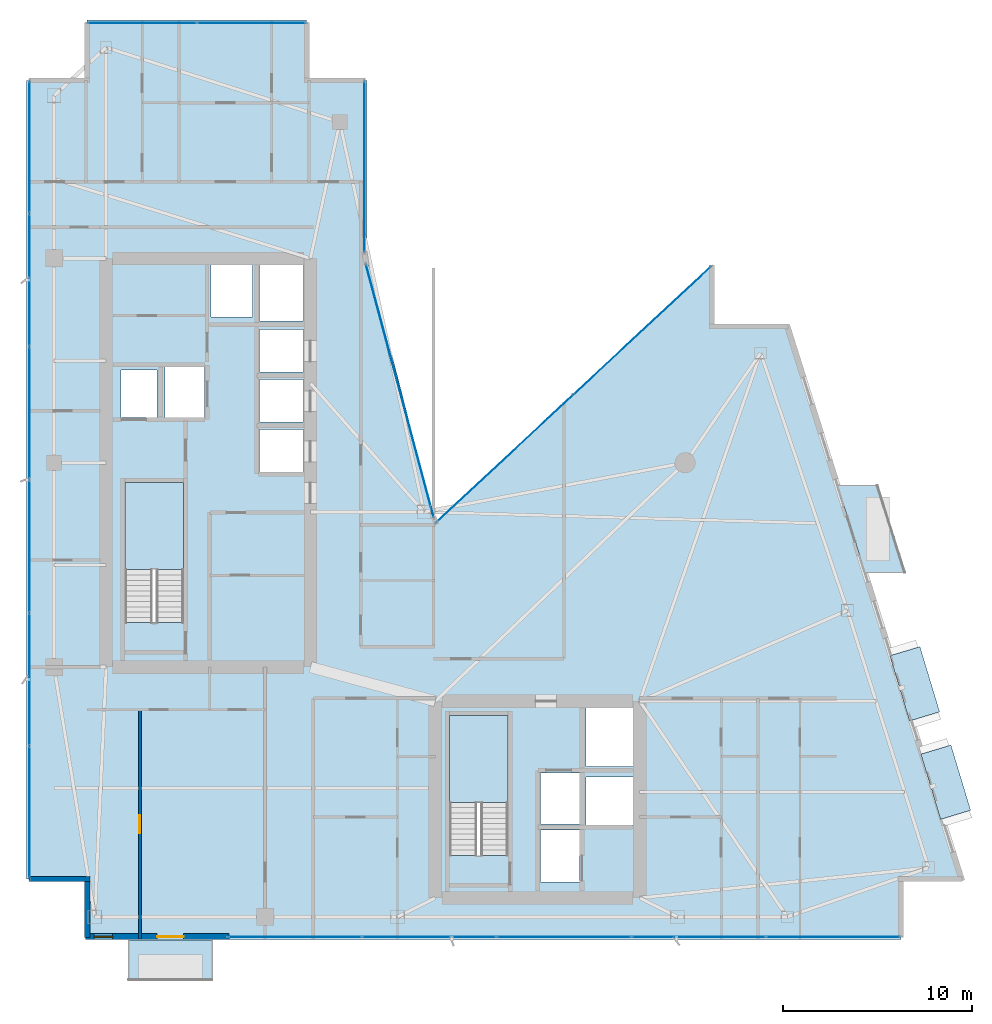
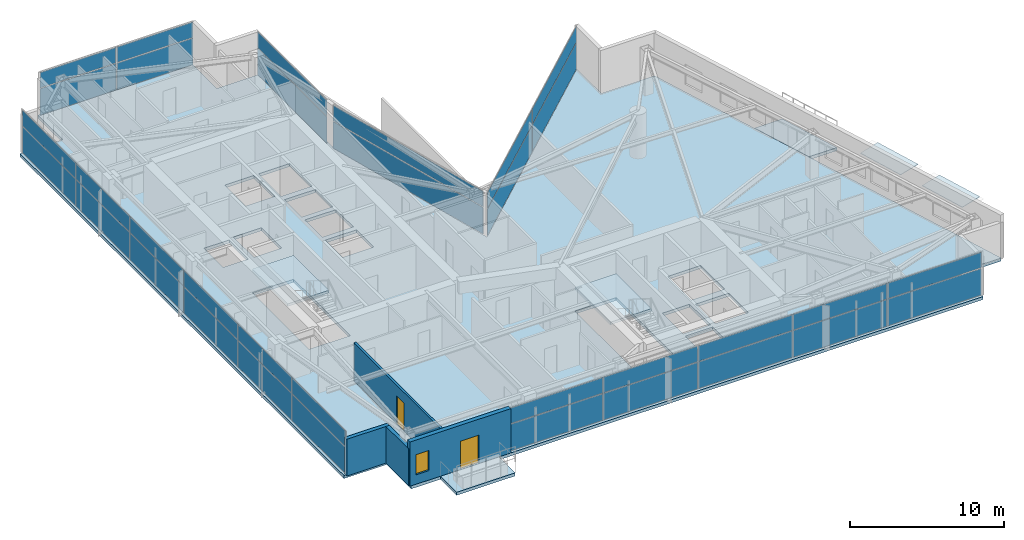
# One storey, part 21 of 27: 36 plates, 5 slabs, 4 walls, 2 doors, 1 window, 3 openings, 8 elements without a shape of their own.
"""IFC4 building model written with IfcOpenShell, lengths in metres."""

from ifc_helpers import new_model, si_unit, direction, frame, frame_2d, origin, origin_2d, place, context, subcontext, project, spatial, polyline, rectangle, outline, extrude, material, layer, layer_set, type_object, element, fill, aggregate, save


model = new_model("IFC4")

# Units and contexts
model_context = context("Model", 3, precision=1e-05, world=origin(), true_north=direction((0.0, 1.0)))
body_context = subcontext(model_context, "Body", "Model", "MODEL_VIEW")
ifc_project = project(units=[si_unit("LENGTHUNIT", "METRE"), si_unit("AREAUNIT", "SQUARE_METRE"), si_unit("VOLUMEUNIT", "CUBIC_METRE"), si_unit("PLANEANGLEUNIT", "RADIAN"), si_unit("MASSUNIT", "GRAM", prefix="KILO")], contexts=[model_context])

# Site, building, storey
site_placement = place(None, origin())
site = spatial("IfcSite", under=ifc_project, at=site_placement, CompositionType="ELEMENT")
building_placement = place(site_placement, origin())
building = spatial("IfcBuilding", under=site, at=building_placement, Name="Calvorn Quay Hotel", CompositionType="ELEMENT")
storey_placement = place(building_placement, frame((0.0, 0.0, 230.699951171875)))
storey = spatial("IfcBuildingStorey", under=building, at=storey_placement, Name="L57", CompositionType="ELEMENT", Elevation=230.699951171875)

# Curtain wall, plates
ifc_material_1 = material(Name="Champagne Bronze Anodised Aluminium and Low-E Glass", Category="aluminium")
ifc_layer_1 = layer(ifc_material_1, 0.219970703125)
ifc_layer_set_1 = layer_set([ifc_layer_1], Name="CW-SYS-Z3")
curtain_wall_type = type_object("IfcCurtainWallType", Name="CW-SYS-Z3", PredefinedType="NOTDEFINED", material=ifc_layer_set_1)
curtain_wall_1_placement = place(storey_placement, origin())
curtain_wall_1 = element("IfcCurtainWall", 1, at=curtain_wall_1_placement, inside=storey, type_object=curtain_wall_type, Name="Tower West Curtain Wall (L57)", PredefinedType="NOTDEFINED")
ifc_material_2 = material(Name="Low-E Laminated Double Glazing", Category="glass")
ifc_layer_2 = layer(ifc_material_2, 0.028076171875)
ifc_layer_set_2 = layer_set([ifc_layer_2], Name="CW-SYS-Z3-PAN")
plate_type_1 = type_object("IfcPlateType", Name="CW-SYS-Z3-PAN", PredefinedType="CURTAIN_PANEL", material=ifc_layer_set_2)
plate_1_placement = place(storey_placement, frame((0.14990234375, 9.131591796875, 0.06005859375), z_axis=(0.0, 0.0, 1.0), x_axis=(0.0, 1.0, 0.0)))
plate_1 = element("IfcPlate", 2, at=plate_1_placement, type_object=plate_type_1, Name="CW-L57-W panel 1.1", PredefinedType="CURTAIN_PANEL", context=body_context, shape_type="SweptSolid", body=[
    extrude(rectangle(XDim=6.943359375, YDim=0.028076171875, at=origin_2d()), origin(), (0.0, 0.0, 1.0), 2.110107421875),
])
plate_2_placement = place(storey_placement, frame((0.14990234375, 9.131591796875, 2.22998046875), z_axis=(0.0, 0.0, 1.0), x_axis=(0.0, 1.0, 0.0)))
plate_2 = element("IfcPlate", 3, at=plate_2_placement, type_object=plate_type_1, Name="CW-L57-W panel 1.2", PredefinedType="CURTAIN_PANEL", context=body_context, shape_type="SweptSolid", body=[
    extrude(rectangle(XDim=6.943359375, YDim=0.028076171875, at=origin_2d()), origin(), (0.0, 0.0, 1.0), 1.22998046875),
])
plate_3_placement = place(storey_placement, frame((0.14990234375, 16.14990234375, 0.06005859375), z_axis=(0.0, 0.0, 1.0), x_axis=(0.0, 1.0, 0.0)))
plate_3 = element("IfcPlate", 4, at=plate_3_placement, type_object=plate_type_1, Name="CW-L57-W panel 2.1", PredefinedType="CURTAIN_PANEL", context=body_context, shape_type="SweptSolid", body=[
    extrude(rectangle(XDim=6.973388671875, YDim=0.028076171875, at=origin_2d()), origin(), (0.0, 0.0, 1.0), 2.110107421875),
])
plate_4_placement = place(storey_placement, frame((0.14990234375, 16.14990234375, 2.22998046875), z_axis=(0.0, 0.0, 1.0), x_axis=(0.0, 1.0, 0.0)))
plate_4 = element("IfcPlate", 5, at=plate_4_placement, type_object=plate_type_1, Name="CW-L57-W panel 2.2", PredefinedType="CURTAIN_PANEL", context=body_context, shape_type="SweptSolid", body=[
    extrude(rectangle(XDim=6.973388671875, YDim=0.028076171875, at=origin_2d()), origin(), (0.0, 0.0, 1.0), 1.22998046875),
])
plate_5_placement = place(storey_placement, frame((0.14990234375, 23.183349609375, 0.06005859375), z_axis=(0.0, 0.0, 1.0), x_axis=(0.0, 1.0, 0.0)))
plate_5 = element("IfcPlate", 6, at=plate_5_placement, type_object=plate_type_1, Name="CW-L57-W panel 3.1", PredefinedType="CURTAIN_PANEL", context=body_context, shape_type="SweptSolid", body=[
    extrude(rectangle(XDim=6.973388671875, YDim=0.028076171875, at=origin_2d()), origin(), (0.0, 0.0, 1.0), 2.110107421875),
])
plate_6_placement = place(storey_placement, frame((0.14990234375, 23.183349609375, 2.22998046875), z_axis=(0.0, 0.0, 1.0), x_axis=(0.0, 1.0, 0.0)))
plate_6 = element("IfcPlate", 7, at=plate_6_placement, type_object=plate_type_1, Name="CW-L57-W panel 3.2", PredefinedType="CURTAIN_PANEL", context=body_context, shape_type="SweptSolid", body=[
    extrude(rectangle(XDim=6.973388671875, YDim=0.028076171875, at=origin_2d()), origin(), (0.0, 0.0, 1.0), 1.22998046875),
])
plate_7_placement = place(storey_placement, frame((0.14990234375, 30.216552734375, 0.06005859375), z_axis=(0.0, 0.0, 1.0), x_axis=(0.0, 1.0, 0.0)))
plate_7 = element("IfcPlate", 8, at=plate_7_placement, type_object=plate_type_1, Name="CW-L57-W panel 4.1", PredefinedType="CURTAIN_PANEL", context=body_context, shape_type="SweptSolid", body=[
    extrude(rectangle(XDim=6.973388671875, YDim=0.028076171875, at=origin_2d()), origin(), (0.0, 0.0, 1.0), 2.110107421875),
])
plate_8_placement = place(storey_placement, frame((0.14990234375, 30.216552734375, 2.22998046875), z_axis=(0.0, 0.0, 1.0), x_axis=(0.0, 1.0, 0.0)))
plate_8 = element("IfcPlate", 9, at=plate_8_placement, type_object=plate_type_1, Name="CW-L57-W panel 4.2", PredefinedType="CURTAIN_PANEL", context=body_context, shape_type="SweptSolid", body=[
    extrude(rectangle(XDim=6.973388671875, YDim=0.028076171875, at=origin_2d()), origin(), (0.0, 0.0, 1.0), 1.22998046875),
])
plate_9_placement = place(storey_placement, frame((0.14990234375, 37.25, 0.06005859375), z_axis=(0.0, 0.0, 1.0), x_axis=(0.0, 1.0, 0.0)))
plate_9 = element("IfcPlate", 10, at=plate_9_placement, type_object=plate_type_1, Name="CW-L57-W panel 5.1", PredefinedType="CURTAIN_PANEL", context=body_context, shape_type="SweptSolid", body=[
    extrude(rectangle(XDim=6.973388671875, YDim=0.028076171875, at=origin_2d()), origin(), (0.0, 0.0, 1.0), 2.110107421875),
])
plate_10_placement = place(storey_placement, frame((0.14990234375, 37.25, 2.22998046875), z_axis=(0.0, 0.0, 1.0), x_axis=(0.0, 1.0, 0.0)))
plate_10 = element("IfcPlate", 11, at=plate_10_placement, type_object=plate_type_1, Name="CW-L57-W panel 5.2", PredefinedType="CURTAIN_PANEL", context=body_context, shape_type="SweptSolid", body=[
    extrude(rectangle(XDim=6.973388671875, YDim=0.028076171875, at=origin_2d()), origin(), (0.0, 0.0, 1.0), 1.22998046875),
])
plate_11_placement = place(storey_placement, frame((0.14990234375, 44.268310546875, 0.06005859375), z_axis=(0.0, 0.0, 1.0), x_axis=(0.0, 1.0, 0.0)))
plate_11 = element("IfcPlate", 12, at=plate_11_placement, type_object=plate_type_1, Name="CW-L57-W panel 6.1", PredefinedType="CURTAIN_PANEL", context=body_context, shape_type="SweptSolid", body=[
    extrude(rectangle(XDim=6.943359375, YDim=0.028076171875, at=origin_2d()), origin(), (0.0, 0.0, 1.0), 2.110107421875),
])
plate_12_placement = place(storey_placement, frame((0.14990234375, 44.268310546875, 2.22998046875), z_axis=(0.0, 0.0, 1.0), x_axis=(0.0, 1.0, 0.0)))
plate_12 = element("IfcPlate", 13, at=plate_12_placement, type_object=plate_type_1, Name="CW-L57-W panel 6.2", PredefinedType="CURTAIN_PANEL", context=body_context, shape_type="SweptSolid", body=[
    extrude(rectangle(XDim=6.943359375, YDim=0.028076171875, at=origin_2d()), origin(), (0.0, 0.0, 1.0), 1.22998046875),
])
aggregate(curtain_wall_1, [plate_1, plate_2, plate_3, plate_4, plate_5, plate_6, plate_7, plate_8, plate_9, plate_10, plate_11, plate_12])

curtain_wall_2_placement = place(storey_placement, origin())
curtain_wall_2 = element("IfcCurtainWall", 14, at=curtain_wall_2_placement, inside=storey, type_object=curtain_wall_type, Name="Tower South Waterfront Curtain Wall (L57)", PredefinedType="NOTDEFINED")
plate_13_placement = place(storey_placement, frame((14.175048828125, 2.550048828125, 0.06005859375), z_axis=(0.0, 0.0, 1.0), x_axis=(1.0, 0.0, 0.0)))
plate_13 = element("IfcPlate", 15, at=plate_13_placement, type_object=plate_type_1, Name="CW-L57-S panel 1.1", PredefinedType="CURTAIN_PANEL", context=body_context, shape_type="SweptSolid", body=[
    extrude(rectangle(XDim=7.030029296875, YDim=0.028076171875, at=origin_2d()), origin(), (0.0, 0.0, 1.0), 2.110107421875),
])
plate_14_placement = place(storey_placement, frame((14.175048828125, 2.550048828125, 2.22998046875), z_axis=(0.0, 0.0, 1.0), x_axis=(1.0, 0.0, 0.0)))
plate_14 = element("IfcPlate", 16, at=plate_14_placement, type_object=plate_type_1, Name="CW-L57-S panel 1.2", PredefinedType="CURTAIN_PANEL", context=body_context, shape_type="SweptSolid", body=[
    extrude(rectangle(XDim=7.030029296875, YDim=0.028076171875, at=origin_2d()), origin(), (0.0, 0.0, 1.0), 1.22998046875),
])
plate_15_placement = place(storey_placement, frame((21.280029296875, 2.550048828125, 0.06005859375), z_axis=(0.0, 0.0, 1.0), x_axis=(1.0, 0.0, 0.0)))
plate_15 = element("IfcPlate", 17, at=plate_15_placement, type_object=plate_type_1, Name="CW-L57-S panel 2.1", PredefinedType="CURTAIN_PANEL", context=body_context, shape_type="SweptSolid", body=[
    extrude(rectangle(XDim=7.06005859375, YDim=0.028076171875, at=origin_2d()), origin(), (0.0, 0.0, 1.0), 2.110107421875),
])
plate_16_placement = place(storey_placement, frame((21.280029296875, 2.550048828125, 2.22998046875), z_axis=(0.0, 0.0, 1.0), x_axis=(1.0, 0.0, 0.0)))
plate_16 = element("IfcPlate", 18, at=plate_16_placement, type_object=plate_type_1, Name="CW-L57-S panel 2.2", PredefinedType="CURTAIN_PANEL", context=body_context, shape_type="SweptSolid", body=[
    extrude(rectangle(XDim=7.06005859375, YDim=0.028076171875, at=origin_2d()), origin(), (0.0, 0.0, 1.0), 1.22998046875),
])
plate_17_placement = place(storey_placement, frame((28.39990234375, 2.550048828125, 0.06005859375), z_axis=(0.0, 0.0, 1.0), x_axis=(1.0, 0.0, 0.0)))
plate_17 = element("IfcPlate", 19, at=plate_17_placement, type_object=plate_type_1, Name="CW-L57-S panel 3.1", PredefinedType="CURTAIN_PANEL", context=body_context, shape_type="SweptSolid", body=[
    extrude(rectangle(XDim=7.06005859375, YDim=0.028076171875, at=origin_2d()), origin(), (0.0, 0.0, 1.0), 2.110107421875),
])
plate_18_placement = place(storey_placement, frame((28.39990234375, 2.550048828125, 2.22998046875), z_axis=(0.0, 0.0, 1.0), x_axis=(1.0, 0.0, 0.0)))
plate_18 = element("IfcPlate", 20, at=plate_18_placement, type_object=plate_type_1, Name="CW-L57-S panel 3.2", PredefinedType="CURTAIN_PANEL", context=body_context, shape_type="SweptSolid", body=[
    extrude(rectangle(XDim=7.06005859375, YDim=0.028076171875, at=origin_2d()), origin(), (0.0, 0.0, 1.0), 1.22998046875),
])
plate_19_placement = place(storey_placement, frame((35.52001953125, 2.550048828125, 0.06005859375), z_axis=(0.0, 0.0, 1.0), x_axis=(1.0, 0.0, 0.0)))
plate_19 = element("IfcPlate", 21, at=plate_19_placement, type_object=plate_type_1, Name="CW-L57-S panel 4.1", PredefinedType="CURTAIN_PANEL", context=body_context, shape_type="SweptSolid", body=[
    extrude(rectangle(XDim=7.06005859375, YDim=0.028076171875, at=origin_2d()), origin(), (0.0, 0.0, 1.0), 2.110107421875),
])
plate_20_placement = place(storey_placement, frame((35.52001953125, 2.550048828125, 2.22998046875), z_axis=(0.0, 0.0, 1.0), x_axis=(1.0, 0.0, 0.0)))
plate_20 = element("IfcPlate", 22, at=plate_20_placement, type_object=plate_type_1, Name="CW-L57-S panel 4.2", PredefinedType="CURTAIN_PANEL", context=body_context, shape_type="SweptSolid", body=[
    extrude(rectangle(XDim=7.06005859375, YDim=0.028076171875, at=origin_2d()), origin(), (0.0, 0.0, 1.0), 1.22998046875),
])
plate_21_placement = place(storey_placement, frame((42.625, 2.550048828125, 0.06005859375), z_axis=(0.0, 0.0, 1.0), x_axis=(1.0, 0.0, 0.0)))
plate_21 = element("IfcPlate", 23, at=plate_21_placement, type_object=plate_type_1, Name="CW-L57-S panel 5.1", PredefinedType="CURTAIN_PANEL", context=body_context, shape_type="SweptSolid", body=[
    extrude(rectangle(XDim=7.030029296875, YDim=0.028076171875, at=origin_2d()), origin(), (0.0, 0.0, 1.0), 2.110107421875),
])
plate_22_placement = place(storey_placement, frame((42.625, 2.550048828125, 2.22998046875), z_axis=(0.0, 0.0, 1.0), x_axis=(1.0, 0.0, 0.0)))
plate_22 = element("IfcPlate", 24, at=plate_22_placement, type_object=plate_type_1, Name="CW-L57-S panel 5.2", PredefinedType="CURTAIN_PANEL", context=body_context, shape_type="SweptSolid", body=[
    extrude(rectangle(XDim=7.030029296875, YDim=0.028076171875, at=origin_2d()), origin(), (0.0, 0.0, 1.0), 1.22998046875),
])
aggregate(curtain_wall_2, [plate_13, plate_14, plate_15, plate_16, plate_17, plate_18, plate_19, plate_20, plate_21, plate_22])

curtain_wall_3_placement = place(storey_placement, origin())
curtain_wall_3 = element("IfcCurtainWall", 25, at=curtain_wall_3_placement, inside=storey, type_object=curtain_wall_type, Name="Inner Court Curtain Wall L57-NE1", PredefinedType="NOTDEFINED")
plate_23_placement = place(storey_placement, frame((32.5390625, 34.58984375, 0.06005859375), z_axis=(0.0, 0.0, 1.0), x_axis=(-0.731721570922, -0.681603655102, 0.0)))
plate_23 = element("IfcPlate", 26, at=plate_23_placement, type_object=plate_type_1, Name="CW-L57-NE1 panel 1.1", PredefinedType="CURTAIN_PANEL", context=body_context, shape_type="SweptSolid", body=[
    extrude(rectangle(XDim=9.886474609375, YDim=0.028076171875, at=origin_2d()), origin(), (0.0, 0.0, 1.0), 2.110107421875),
])
plate_24_placement = place(storey_placement, frame((32.5390625, 34.58984375, 2.22998046875), z_axis=(0.0, 0.0, 1.0), x_axis=(-0.731721570922, -0.681603655102, 0.0)))
plate_24 = element("IfcPlate", 27, at=plate_24_placement, type_object=plate_type_1, Name="CW-L57-NE1 panel 1.2", PredefinedType="CURTAIN_PANEL", context=body_context, shape_type="SweptSolid", body=[
    extrude(rectangle(XDim=9.886474609375, YDim=0.028076171875, at=origin_2d()), origin(), (0.0, 0.0, 1.0), 1.22998046875),
])
plate_25_placement = place(storey_placement, frame((25.260986328125, 27.810302734375, 0.06005859375), z_axis=(0.0, 0.0, 1.0), x_axis=(-0.731721570922, -0.681603655102, 0.0)))
plate_25 = element("IfcPlate", 28, at=plate_25_placement, type_object=plate_type_1, Name="CW-L57-NE1 panel 2.1", PredefinedType="CURTAIN_PANEL", context=body_context, shape_type="SweptSolid", body=[
    extrude(rectangle(XDim=9.886474609375, YDim=0.028076171875, at=origin_2d()), origin(), (0.0, 0.0, 1.0), 2.110107421875),
])
plate_26_placement = place(storey_placement, frame((25.260986328125, 27.810302734375, 2.22998046875), z_axis=(0.0, 0.0, 1.0), x_axis=(-0.731721570922, -0.681603655102, 0.0)))
plate_26 = element("IfcPlate", 29, at=plate_26_placement, type_object=plate_type_1, Name="CW-L57-NE1 panel 2.2", PredefinedType="CURTAIN_PANEL", context=body_context, shape_type="SweptSolid", body=[
    extrude(rectangle(XDim=9.886474609375, YDim=0.028076171875, at=origin_2d()), origin(), (0.0, 0.0, 1.0), 1.22998046875),
])
aggregate(curtain_wall_3, [plate_23, plate_24, plate_25, plate_26])

curtain_wall_4_placement = place(storey_placement, origin())
curtain_wall_4 = element("IfcCurtainWall", 30, at=curtain_wall_4_placement, inside=storey, type_object=curtain_wall_type, Name="Inner Court Curtain Wall L57-IC1", PredefinedType="NOTDEFINED")
plate_27_placement = place(storey_placement, frame((19.72509765625, 31.39990234375, 0.06005859375), z_axis=(0.0, 0.0, 1.0), x_axis=(-0.25877913024, 0.96593652056, 0.0)))
plate_27 = element("IfcPlate", 31, at=plate_27_placement, type_object=plate_type_1, Name="CW-L57-IC1 panel 1.1", PredefinedType="CURTAIN_PANEL", context=body_context, shape_type="SweptSolid", body=[
    extrude(rectangle(XDim=13.814697265625, YDim=0.028076171875, at=origin_2d()), origin(), (0.0, 0.0, 1.0), 2.110107421875),
])
plate_28_placement = place(storey_placement, frame((19.72509765625, 31.39990234375, 2.22998046875), z_axis=(0.0, 0.0, 1.0), x_axis=(-0.25877913024, 0.96593652056, 0.0)))
plate_28 = element("IfcPlate", 32, at=plate_28_placement, type_object=plate_type_1, Name="CW-L57-IC1 panel 1.2", PredefinedType="CURTAIN_PANEL", context=body_context, shape_type="SweptSolid", body=[
    extrude(rectangle(XDim=13.814697265625, YDim=0.028076171875, at=origin_2d()), origin(), (0.0, 0.0, 1.0), 1.22998046875),
])
aggregate(curtain_wall_4, [plate_27, plate_28])

curtain_wall_5_placement = place(storey_placement, origin())
curtain_wall_5 = element("IfcCurtainWall", 33, at=curtain_wall_5_placement, inside=storey, type_object=curtain_wall_type, Name="Inner Court Curtain Wall L57-IC2", PredefinedType="NOTDEFINED")
plate_29_placement = place(storey_placement, frame((17.85009765625, 43.239990234375, 0.06005859375), z_axis=(0.0, 0.0, 1.0), x_axis=(0.0, 1.0, 0.0)))
plate_29 = element("IfcPlate", 34, at=plate_29_placement, type_object=plate_type_1, Name="CW-L57-IC2 panel 1.1", PredefinedType="CURTAIN_PANEL", context=body_context, shape_type="SweptSolid", body=[
    extrude(rectangle(XDim=9.0, YDim=0.028076171875, at=origin_2d()), origin(), (0.0, 0.0, 1.0), 2.110107421875),
])
plate_30_placement = place(storey_placement, frame((17.85009765625, 43.239990234375, 2.22998046875), z_axis=(0.0, 0.0, 1.0), x_axis=(0.0, 1.0, 0.0)))
plate_30 = element("IfcPlate", 35, at=plate_30_placement, type_object=plate_type_1, Name="CW-L57-IC2 panel 1.2", PredefinedType="CURTAIN_PANEL", context=body_context, shape_type="SweptSolid", body=[
    extrude(rectangle(XDim=9.0, YDim=0.028076171875, at=origin_2d()), origin(), (0.0, 0.0, 1.0), 1.22998046875),
])
aggregate(curtain_wall_5, [plate_29, plate_30])

curtain_wall_6_placement = place(storey_placement, origin())
curtain_wall_6 = element("IfcCurtainWall", 36, at=curtain_wall_6_placement, inside=storey, type_object=curtain_wall_type, Name="Inner Court Curtain Wall L57-N1", PredefinedType="NOTDEFINED")
plate_31_placement = place(storey_placement, frame((11.885009765625, 50.85009765625, 0.06005859375), z_axis=(0.0, 0.0, 1.0), x_axis=(-1.0, 0.0, 0.0)))
plate_31 = element("IfcPlate", 37, at=plate_31_placement, type_object=plate_type_1, Name="CW-L57-N1 panel 1.1", PredefinedType="CURTAIN_PANEL", context=body_context, shape_type="SweptSolid", body=[
    extrude(rectangle(XDim=5.7099609375, YDim=0.028076171875, at=origin_2d()), origin(), (0.0, 0.0, 1.0), 2.110107421875),
])
plate_32_placement = place(storey_placement, frame((11.885009765625, 50.85009765625, 2.22998046875), z_axis=(0.0, 0.0, 1.0), x_axis=(-1.0, 0.0, 0.0)))
plate_32 = element("IfcPlate", 38, at=plate_32_placement, type_object=plate_type_1, Name="CW-L57-N1 panel 1.2", PredefinedType="CURTAIN_PANEL", context=body_context, shape_type="SweptSolid", body=[
    extrude(rectangle(XDim=5.7099609375, YDim=0.028076171875, at=origin_2d()), origin(), (0.0, 0.0, 1.0), 1.22998046875),
])
plate_33_placement = place(storey_placement, frame((6.114990234375, 50.85009765625, 0.06005859375), z_axis=(0.0, 0.0, 1.0), x_axis=(-1.0, 0.0, 0.0)))
plate_33 = element("IfcPlate", 39, at=plate_33_placement, type_object=plate_type_1, Name="CW-L57-N1 panel 2.1", PredefinedType="CURTAIN_PANEL", context=body_context, shape_type="SweptSolid", body=[
    extrude(rectangle(XDim=5.7099609375, YDim=0.028076171875, at=origin_2d()), origin(), (0.0, 0.0, 1.0), 2.110107421875),
])
plate_34_placement = place(storey_placement, frame((6.114990234375, 50.85009765625, 2.22998046875), z_axis=(0.0, 0.0, 1.0), x_axis=(-1.0, 0.0, 0.0)))
plate_34 = element("IfcPlate", 40, at=plate_34_placement, type_object=plate_type_1, Name="CW-L57-N1 panel 2.2", PredefinedType="CURTAIN_PANEL", context=body_context, shape_type="SweptSolid", body=[
    extrude(rectangle(XDim=5.7099609375, YDim=0.028076171875, at=origin_2d()), origin(), (0.0, 0.0, 1.0), 1.22998046875),
])
aggregate(curtain_wall_6, [plate_31, plate_32, plate_33, plate_34])

# Plates
ifc_material_3 = material(Name="Tempered Laminated Low-E Glass", Category="glass")
ifc_layer_3 = layer(ifc_material_3, 0.0380859375)
ifc_layer_set_3 = layer_set([ifc_layer_3], Name="PLT-HOOD-GLAZ")
plate_type_2 = type_object("IfcPlateType", Name="PLT-HOOD-GLAZ", PredefinedType="SHEET", material=ifc_layer_set_3)
for number, where, z_axis, x_axis, name in (
    (41, (48.573974609375, 10.718017578125, 2.467041015625), (0.0, 0.0, 1.0), (0.957319497532, 0.289031796944, 0.0), "Angled Glass Bay Hood Panel L57-HOOD-1"),
    (42, (46.93505859375, 15.91796875, 2.467041015625), (0.0, 0.0, 1.0), (0.957319497532, 0.289031796944, 0.0), "Angled Glass Bay Hood Panel L57-HOOD-2"),
):
    element("IfcPlate", number, at=place(storey_placement, frame(where, z_axis=z_axis, x_axis=x_axis)), inside=storey, type_object=plate_type_2, Name=name, PredefinedType="SHEET", context=body_context, shape_type="SweptSolid", body=[
        extrude(rectangle(XDim=1.659912109375, YDim=3.60009765625, at=origin_2d()), origin(), (0.0, 0.0, 1.0), 0.0380859375),
    ])

# Slabs
ifc_material_4 = material(Name="Concrete C40", Category="concrete")
ifc_layer_4 = layer(ifc_material_4, 0.239990234375)
ifc_layer_set_4 = layer_set([ifc_layer_4], Name="SLB-BALCONY-220")
slab_type_1 = type_object("IfcSlabType", Name="SLB-BALCONY-220", PredefinedType="FLOOR", material=ifc_layer_set_4)
slab_1_placement = place(storey_placement, frame((0.0, 0.0, -0.239990234375)))
element("IfcSlab", 43, at=slab_1_placement, inside=storey, type_object=slab_type_1, Name="Tree Balcony Slab L57-BALC-E", PredefinedType="FLOOR", context=body_context, shape_type="SweptSolid", body=[
    extrude(outline(polyline([(44.305908203125, 21.800048828125), (46.406005859375, 21.800048828125), (44.95703125, 26.39990234375), (42.85693359375, 26.39990234375), (44.305908203125, 21.800048828125)])), origin(), (0.0, 0.0, 1.0), 0.239990234375),
])
slab_2_placement = place(storey_placement, frame((0.0, 0.0, -0.239990234375)))
element("IfcSlab", 44, at=slab_2_placement, inside=storey, type_object=slab_type_1, Name="Tree Balcony Slab L57-BALC-S", PredefinedType="FLOOR", context=body_context, shape_type="SweptSolid", body=[
    extrude(outline(polyline([(5.39990234375, 0.2900390625), (9.800048828125, 0.2900390625), (9.800048828125, 2.389892578125), (5.39990234375, 2.389892578125), (5.39990234375, 0.2900390625)])), origin(), (0.0, 0.0, 1.0), 0.239990234375),
])

# Stair, slab
ifc_material_5 = material(Name="Concrete C40", Category="concrete")
stair_type = type_object("IfcStairType", Name="STR-CORE-DOGLEG", PredefinedType="HALF_TURN_STAIR", material=ifc_material_5)
stair_1_placement = place(storey_placement, origin())
stair_1 = element("IfcStair", 45, at=stair_1_placement, inside=storey, type_object=stair_type, Name="L57 ST-W", PredefinedType="HALF_TURN_STAIR")
ifc_material_6 = material(Name="Concrete C40", Category="concrete")
ifc_layer_5 = layer(ifc_material_6, 0.199951171875)
ifc_layer_set_5 = layer_set([ifc_layer_5], Name="SLB-STAIR-LANDING-200")
slab_type_2 = type_object("IfcSlabType", Name="SLB-STAIR-LANDING-200", PredefinedType="LANDING", material=ifc_layer_set_5)
slab_3_placement = place(storey_placement, frame((0.0, 0.0, 1.699951171875)))
slab_3 = element("IfcSlab", 46, at=slab_3_placement, type_object=slab_type_2, Name="ST-W landing 1", PredefinedType="LANDING", context=body_context, shape_type="SweptSolid", body=[
    extrude(outline(polyline([(8.300048828125, 21.949951171875), (8.300048828125, 26.550048828125), (5.199951171875, 26.550048828125), (5.199951171875, 21.949951171875), (8.300048828125, 21.949951171875)])), origin(), (0.0, 0.0, 1.0), 0.2001953125),
])
aggregate(stair_1, [slab_3])

stair_2_placement = place(storey_placement, origin())
stair_2 = element("IfcStair", 47, at=stair_2_placement, inside=storey, type_object=stair_type, Name="L57 ST-E", PredefinedType="HALF_TURN_STAIR")
slab_4_placement = place(storey_placement, frame((0.0, 0.0, 1.699951171875)))
slab_4 = element("IfcSlab", 48, at=slab_4_placement, type_object=slab_type_2, Name="ST-E landing 1", PredefinedType="LANDING", context=body_context, shape_type="SweptSolid", body=[
    extrude(outline(polyline([(25.449951171875, 9.64990234375), (25.449951171875, 14.25), (22.35009765625, 14.25), (22.35009765625, 9.64990234375), (25.449951171875, 9.64990234375)])), origin(), (0.0, 0.0, 1.0), 0.2001953125),
])
aggregate(stair_2, [slab_4])

# Slab
ifc_material_7 = material(Name="Concrete C40", Category="concrete")
ifc_layer_6 = layer(ifc_material_7, 0.239990234375)
ifc_layer_set_6 = layer_set([ifc_layer_6], Name="SLB-TOWER-240")
slab_type_3 = type_object("IfcSlabType", Name="SLB-TOWER-240", PredefinedType="FLOOR", material=ifc_layer_set_6)
slab_5_placement = place(storey_placement, frame((0.0, 0.0, -0.239990234375)))
element("IfcSlab", 49, at=slab_5_placement, inside=storey, type_object=slab_type_3, Name="L57 Structural Floor Slab", PredefinedType="FLOOR", context=body_context, shape_type="SweptSolid", body=[
    extrude(outline(polyline([(0.0, 5.60009765625), (3.199951171875, 5.60009765625), (3.199951171875, 2.39990234375), (46.199951171875, 2.39990234375), (46.199951171875, 5.60009765625), (49.39990234375, 5.60009765625), (40.199951171875, 34.800048828125), (36.199951171875, 34.800048828125), (36.199951171875, 38.0), (21.60009765625, 24.39990234375), (18.0, 38.39990234375), (18.0, 47.800048828125), (14.800048828125, 47.800048828125), (14.800048828125, 51.0), (3.199951171875, 51.0), (3.199951171875, 47.800048828125), (0.0, 47.800048828125), (0.0, 5.60009765625)]), holes=[polyline([(5.199951171875, 19.156005859375), (8.300048828125, 19.156005859375), (8.300048828125, 26.550048828125), (5.199951171875, 26.550048828125), (5.199951171875, 19.156005859375)]), polyline([(22.35009765625, 6.85595703125), (25.449951171875, 6.85595703125), (25.449951171875, 14.25), (22.35009765625, 14.25), (22.35009765625, 6.85595703125)]), polyline([(5.0, 30.0), (6.89990234375, 30.0), (6.89990234375, 32.5), (5.0, 32.5), (5.0, 30.0)]), polyline([(7.300048828125, 30.0), (9.39990234375, 30.0), (9.39990234375, 32.64990234375), (7.300048828125, 32.64990234375), (7.300048828125, 30.0)]), polyline([(27.159912109375, 8.5), (29.2099609375, 8.5), (29.2099609375, 11.199951171875), (27.159912109375, 11.199951171875), (27.159912109375, 8.5)]), polyline([(27.159912109375, 5.449951171875), (29.2099609375, 5.449951171875), (29.2099609375, 8.199951171875), (27.159912109375, 8.199951171875), (27.159912109375, 5.449951171875)]), polyline([(12.300048828125, 27.10009765625), (14.639892578125, 27.10009765625), (14.639892578125, 29.35009765625), (12.300048828125, 29.35009765625), (12.300048828125, 27.10009765625)]), polyline([(12.300048828125, 29.75), (14.639892578125, 29.75), (14.639892578125, 32.0), (12.300048828125, 32.0), (12.300048828125, 29.75)]), polyline([(12.300048828125, 32.39990234375), (14.639892578125, 32.39990234375), (14.639892578125, 34.64990234375), (12.300048828125, 34.64990234375), (12.300048828125, 32.39990234375)]), polyline([(12.300048828125, 35.10009765625), (14.639892578125, 35.10009765625), (14.639892578125, 38.0400390625), (12.300048828125, 38.0400390625), (12.300048828125, 35.10009765625)]), polyline([(9.75, 35.300048828125), (11.949951171875, 35.300048828125), (11.949951171875, 38.0400390625), (9.75, 38.0400390625), (9.75, 35.300048828125)]), polyline([(29.550048828125, 11.550048828125), (32.0400390625, 11.550048828125), (32.0400390625, 14.639892578125), (29.550048828125, 14.639892578125), (29.550048828125, 11.550048828125)]), polyline([(29.550048828125, 8.449951171875), (32.0400390625, 8.449951171875), (32.0400390625, 11.0), (29.550048828125, 11.0), (29.550048828125, 8.449951171875)])]), origin(), (0.0, 0.0, 1.0), 0.239990234375),
])

# Wall, openings, door, window
ifc_material_8 = material(Name="Concrete C40", Category="concrete")
ifc_layer_7 = layer(ifc_material_8, 0.320068359375)
ifc_layer_set_7 = layer_set([ifc_layer_7], Name="WL-EXT-SPANDREL-320")
wall_type_1 = type_object("IfcWallType", Name="WL-EXT-SPANDREL-320", PredefinedType="SOLIDWALL", material=ifc_layer_set_7)
wall_1_placement = place(storey_placement, frame((3.10009765625, 2.56005859375, 0.0), z_axis=(0.0, 0.0, 1.0), x_axis=(1.0, 0.0, 0.0)))
wall_1 = element("IfcWall", 50, at=wall_1_placement, inside=storey, type_object=wall_type_1, Name="South Balcony Exterior Wall (L57)", PredefinedType="SOLIDWALL", context=body_context, shape_type="SweptSolid", body=[
    extrude(rectangle(XDim=7.599853515625, YDim=0.320068359375, at=frame_2d((3.7998046875, 0.0))), origin(), (0.0, 0.0, 1.0), 3.52001953125),
])
opening_1_placement = place(wall_1_placement, frame((0.449951171875, 0.0, 0.75)))
opening_1 = element("IfcOpeningElement", 51, at=opening_1_placement, cuts=wall_1, Name="Opening WSB-L57-1", PredefinedType="OPENING", context=body_context, shape_type="SweptSolid", body=[
    extrude(rectangle(XDim=1.0, YDim=1.60009765625, at=frame_2d((0.5, 0.800048828125))), frame((0.0, 0.169921875, 0.0), z_axis=(0.0, -1.0, 0.0), x_axis=(1.0, 0.0, 0.0)), (0.0, 0.0, 1.0), 0.340087890625),
])
opening_2_placement = place(wall_1_placement, frame((3.800048828125, 0.0, 0.0)))
opening_2 = element("IfcOpeningElement", 52, at=opening_2_placement, cuts=wall_1, Name="Opening DB-L57-2", PredefinedType="OPENING", context=body_context, shape_type="SweptSolid", body=[
    extrude(rectangle(XDim=1.39990234375, YDim=2.25, at=frame_2d((0.699951171875, 1.125))), frame((0.0, 0.169921875, 0.0), z_axis=(0.0, -1.0, 0.0), x_axis=(1.0, 0.0, 0.0)), (0.0, 0.0, 1.0), 0.340087890625),
])
ifc_material_9 = material(Name="Typhoon-Rated Low-E Aluminium Terrace Door", Category="aluminium")
door_type_1 = type_object("IfcDoorType", Name="DR-BALCONY-GLZ-1400", OperationType="NOTDEFINED", PredefinedType="DOOR", material=ifc_material_9)
door_1_placement = place(opening_2_placement, origin())
door_1 = element("IfcDoor", 53, at=door_1_placement, inside=storey, type_object=door_type_1, Name="Tree Balcony Terrace Door L57-BALC-S", OperationType="SINGLE_SWING_LEFT", OverallHeight=2.25, OverallWidth=1.39990234375, PredefinedType="DOOR", context=body_context, shape_type="SweptSolid", body=[
    extrude(rectangle(XDim=1.39990234375, YDim=2.25, at=frame_2d((0.699951171875, 1.125))), frame((0.0, 0.02490234375, 0.0), z_axis=(0.0, -1.0, 0.0), x_axis=(1.0, 0.0, 0.0)), (0.0, 0.0, 1.0), 0.050048828125),
])
fill(opening_2, door_1)
ifc_material_10 = material(Name="Self-Closing Class B Side Fire Window")
window_type = type_object("IfcWindowType", Name="WIN-REFUGE-NARROW-1000x1600", PartitioningType="SINGLE_PANEL", PredefinedType="WINDOW", material=ifc_material_10)
window_placement = place(opening_1_placement, origin())
window = element("IfcWindow", 54, at=window_placement, inside=storey, type_object=window_type, Name="South Waterfront Side Window (L57)", OverallHeight=1.60009765625, OverallWidth=1.0, PartitioningType="SINGLE_PANEL", PredefinedType="WINDOW", context=body_context, shape_type="SweptSolid", body=[
    extrude(rectangle(XDim=1.0, YDim=1.60009765625, at=frame_2d((0.5, 0.800048828125))), frame((0.0, 0.030029296875, 0.0), z_axis=(0.0, -1.0, 0.0), x_axis=(1.0, 0.0, 0.0)), (0.0, 0.0, 1.0), 0.06005859375),
])
fill(opening_1, window)

# Walls
wall_2_placement = place(storey_placement, frame((0.1201171875, 5.60009765625, 0.0), z_axis=(0.0, 0.0, 1.0), x_axis=(1.0, 0.0, 0.0)))
element("IfcWall", 55, at=wall_2_placement, inside=storey, type_object=wall_type_1, Name="Notched Corner Spandrel L57-SW1", PredefinedType="SOLIDWALL", context=body_context, shape_type="SweptSolid", body=[
    extrude(rectangle(XDim=3.219970703125, YDim=0.280029296875, at=frame_2d((1.60986328125, 0.0))), origin(), (0.0, 0.0, 1.0), 2.920166015625),
])
wall_3_placement = place(storey_placement, frame((3.199951171875, 5.4599609375, 0.0), z_axis=(0.0, 0.0, 1.0), x_axis=(0.0, -1.0, 0.0)))
element("IfcWall", 56, at=wall_3_placement, inside=storey, type_object=wall_type_1, Name="Notched Corner Spandrel L57-SW2", PredefinedType="SOLIDWALL", context=body_context, shape_type="SweptSolid", body=[
    extrude(rectangle(XDim=2.93994140625, YDim=0.280029296875, at=frame_2d((1.469970703125, 0.0))), origin(), (0.0, 0.0, 1.0), 2.920166015625),
])

# Wall, opening, door
ifc_material_11 = material(Name="Double-Stud Acoustic Gypsum Partition")
ifc_layer_8 = layer(ifc_material_11, 0.159912109375)
ifc_layer_set_8 = layer_set([ifc_layer_8], Name="WL-INTERSUITE-160")
wall_type_2 = type_object("IfcWallType", Name="WL-INTERSUITE-160", PredefinedType="PARTITIONING", material=ifc_layer_set_8)
wall_4_placement = place(storey_placement, frame((5.97998046875, 2.43994140625, 0.0), z_axis=(0.0, 0.0, 1.0), x_axis=(0.0, 1.0, 0.0)))
wall_4 = element("IfcWall", 57, at=wall_4_placement, inside=storey, type_object=wall_type_2, Name="Partition Wall L57-WL-U01-MSP", PredefinedType="PARTITIONING", context=body_context, shape_type="SweptSolid", body=[
    extrude(rectangle(XDim=12.110107421875, YDim=0.159912109375, at=frame_2d((6.05517578125, 0.0))), origin(), (0.0, 0.0, 1.0), 3.070068359375),
])
opening_3_placement = place(wall_4_placement, frame((5.580078125, 0.0, 0.0)))
opening_3 = element("IfcOpeningElement", 58, at=opening_3_placement, cuts=wall_4, Name="Opening D-L57-M01", PredefinedType="OPENING", context=body_context, shape_type="SweptSolid", body=[
    extrude(rectangle(XDim=0.9599609375, YDim=2.199951171875, at=frame_2d((0.47998046875, 1.10009765625))), frame((0.0, 0.08984375, 0.0), z_axis=(0.0, -1.0, 0.0), x_axis=(1.0, 0.0, 0.0)), (0.0, 0.0, 1.0), 0.179931640625),
])
ifc_material_12 = material(Name="Solid Timber Internal Suite Door", Category="wood")
door_type_2 = type_object("IfcDoorType", Name="DR-SUITE-INT-960", OperationType="NOTDEFINED", PredefinedType="DOOR", material=ifc_material_12)
door_2_placement = place(opening_3_placement, origin())
door_2 = element("IfcDoor", 59, at=door_2_placement, inside=storey, type_object=door_type_2, Name="Suite Bedroom Door 01", OperationType="SINGLE_SWING_LEFT", OverallHeight=2.199951171875, OverallWidth=0.9599609375, PredefinedType="DOOR", context=body_context, shape_type="SweptSolid", body=[
    extrude(rectangle(XDim=0.9599609375, YDim=2.199951171875, at=frame_2d((0.47998046875, 1.10009765625))), frame((0.0, 0.02490234375, 0.0), z_axis=(0.0, -1.0, 0.0), x_axis=(1.0, 0.0, 0.0)), (0.0, 0.0, 1.0), 0.050048828125),
])
fill(opening_3, door_2)

save(model, "model.ifc")
